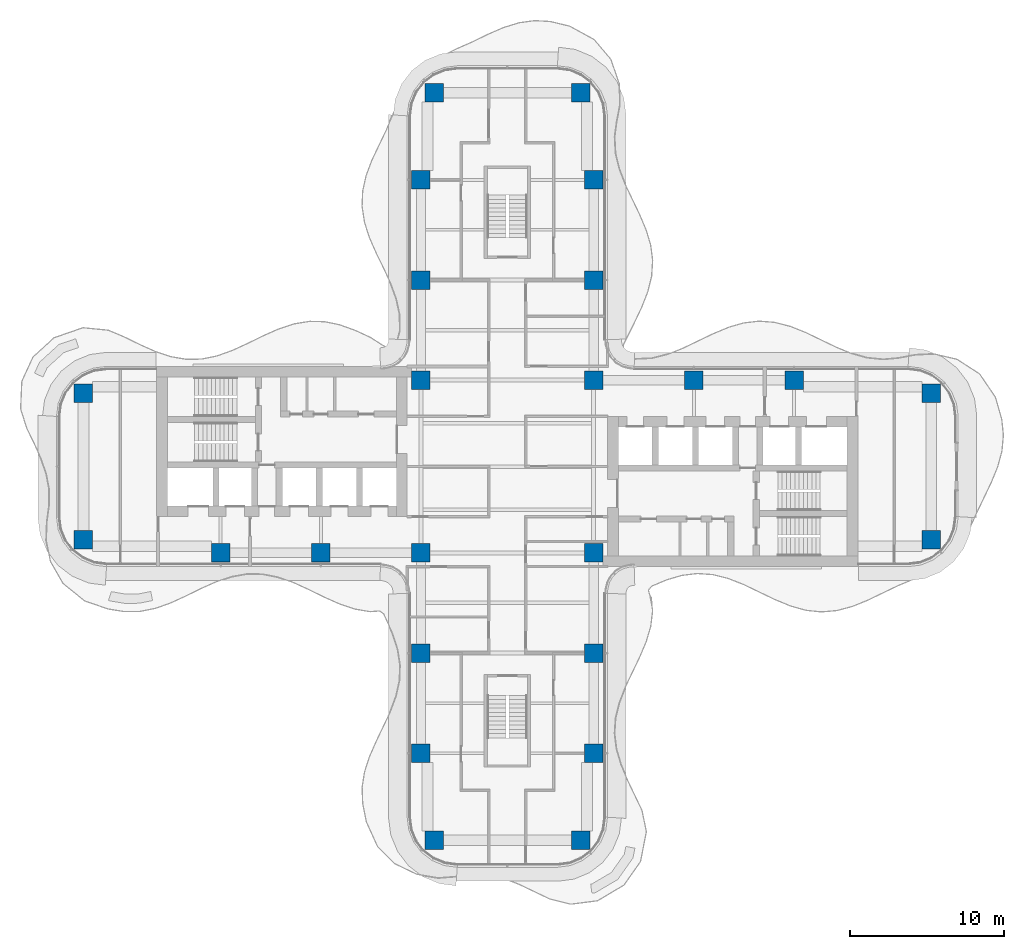
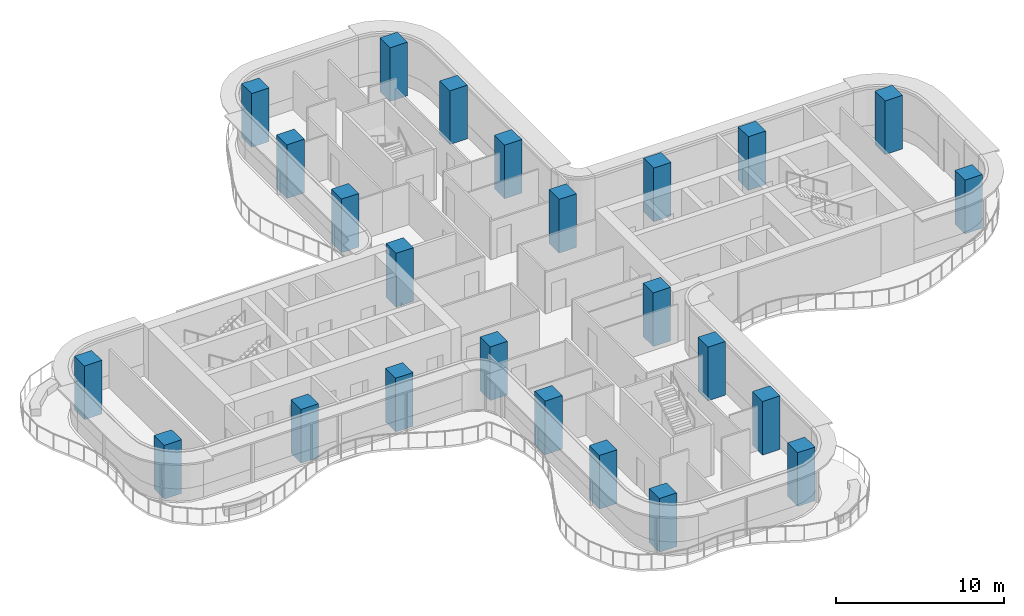
# One storey, part 1 of 17: 24 columns.
"""IFC4 building model written with IfcOpenShell, lengths in metres."""

from ifc_helpers import new_model, si_unit, direction, frame, origin, origin_2d, place, context, subcontext, project, spatial, rectangle, extrude, source, transform, mapped, material, material_profile, profile_set, type_object, element, save


model = new_model("IFC4")

# Units and contexts
model_context = context("Model", 3, precision=1e-05, world=origin(), true_north=direction((0.0, 1.0)))
body_context = subcontext(model_context, "Body", "Model", "MODEL_VIEW")
ifc_project = project(units=[si_unit("LENGTHUNIT", "METRE"), si_unit("AREAUNIT", "SQUARE_METRE"), si_unit("VOLUMEUNIT", "CUBIC_METRE"), si_unit("PLANEANGLEUNIT", "RADIAN"), si_unit("MASSUNIT", "GRAM", prefix="KILO")], contexts=[model_context])

# Site, building, storey
site_placement = place(None, origin())
site = spatial("IfcSite", under=ifc_project, at=site_placement, CompositionType="ELEMENT")
building_placement = place(site_placement, origin())
building = spatial("IfcBuilding", under=site, at=building_placement, Name="Trellis Farm Tower", CompositionType="ELEMENT")
storey_placement = place(building_placement, frame((0.0, 0.0, 181.5)))
storey = spatial("IfcBuildingStorey", under=building, at=storey_placement, Name="L39", CompositionType="ELEMENT", Elevation=181.5)

# Columns
ifc_material = material(Name="Concrete C70/85", Category="concrete")
ifc_material_profile = material_profile(ifc_material, rectangle(XDim=1.199951171875, YDim=1.199951171875, at=origin_2d()), Name="RC column 1200x1200 C70/85")
ifc_profile_set = profile_set([ifc_material_profile], Name="Concrete C70/85")
column_type = type_object("IfcColumnType", Name="RC column 1200x1200 C70/85", PredefinedType="COLUMN", material=ifc_profile_set)
shared_shape = source(origin(), body_context, "Body", "SweptSolid", [
    extrude(rectangle(XDim=1.199951171875, YDim=1.199951171875, at=origin_2d()), origin(), (0.0, 0.0, 1.0), 3.89990234375),
])
for number, where, z_axis, x_axis, name in (
    (1, (12.10009765625, 5.60009765625, 0.0), (0.0, 0.0, 1.0), (1.0, 0.0, 0.0), "Column"),
    (2, (18.60009765625, 5.60009765625, 0.0), (0.0, 0.0, 1.0), (1.0, 0.0, 0.0), "Column"),
    (3, (27.5, 4.75, 0.0), (0.0, 0.0, 1.0), (1.0, 0.0, 0.0), "Column"),
    (4, (27.5, -4.75, 0.0), (0.0, 0.0, 1.0), (1.0, 0.0, 0.0), "Column"),
    (5, (-5.60009765625, 12.10009765625, 0.0), (0.0, 0.0, 1.0), (1.0, 0.0, 0.0), "Column"),
    (6, (-5.60009765625, 18.60009765625, 0.0), (0.0, 0.0, 1.0), (1.0, 0.0, 0.0), "Column"),
    (7, (-4.75, 24.25, 0.0), (0.0, 0.0, 1.0), (1.0, 0.0, 0.0), "Column"),
    (8, (5.60009765625, 12.10009765625, 0.0), (0.0, 0.0, 1.0), (1.0, 0.0, 0.0), "Column"),
    (9, (5.60009765625, 18.60009765625, 0.0), (0.0, 0.0, 1.0), (1.0, 0.0, 0.0), "Column"),
    (10, (4.75, 24.25, 0.0), (0.0, 0.0, 1.0), (1.0, 0.0, 0.0), "Column"),
    (11, (5.60009765625, 5.60009765625, 0.0), (0.0, 0.0, 1.0), (1.0, 0.0, 0.0), "Column"),
    (12, (-5.60009765625, 5.60009765625, 0.0), (0.0, 0.0, 1.0), (1.0, 0.0, 0.0), "Column"),
    (13, (5.60009765625, -5.60009765625, 0.0), (0.0, 0.0, 1.0), (1.0, 0.0, 0.0), "Column"),
    (14, (-5.60009765625, -5.60009765625, 0.0), (0.0, 0.0, 1.0), (1.0, 0.0, 0.0), "Column"),
    (15, (5.60009765625, -12.10009765625, 0.0), (0.0, 0.0, 1.0), (1.0, 0.0, 0.0), "Column"),
    (16, (5.60009765625, -18.60009765625, 0.0), (0.0, 0.0, 1.0), (1.0, 0.0, 0.0), "Column"),
    (17, (4.75, -24.25, 0.0), (0.0, 0.0, 1.0), (1.0, 0.0, 0.0), "Column"),
    (18, (-5.60009765625, -12.10009765625, 0.0), (0.0, 0.0, 1.0), (1.0, 0.0, 0.0), "Column"),
    (19, (-5.60009765625, -18.60009765625, 0.0), (0.0, 0.0, 1.0), (1.0, 0.0, 0.0), "Column"),
    (20, (-4.75, -24.25, 0.0), (0.0, 0.0, 1.0), (1.0, 0.0, 0.0), "Column"),
    (21, (-12.10009765625, -5.60009765625, 0.0), (0.0, 0.0, 1.0), (1.0, 0.0, 0.0), "Column"),
    (22, (-18.60009765625, -5.60009765625, 0.0), (0.0, 0.0, 1.0), (1.0, 0.0, 0.0), "Column"),
    (23, (-27.5, -4.75, 0.0), (0.0, 0.0, 1.0), (1.0, 0.0, 0.0), "Column"),
    (24, (-27.5, 4.75, 0.0), (0.0, 0.0, 1.0), (1.0, 0.0, 0.0), "Column"),
):
    element("IfcColumn", number, at=place(storey_placement, frame(where, z_axis=z_axis, x_axis=x_axis)), inside=storey, type_object=column_type, Name=name, PredefinedType="COLUMN", context=body_context, shape_type="MappedRepresentation", body=[
        mapped(shared_shape, transform((0.0, 0.0, 0.0))),
    ])

save(model, "model.ifc")
